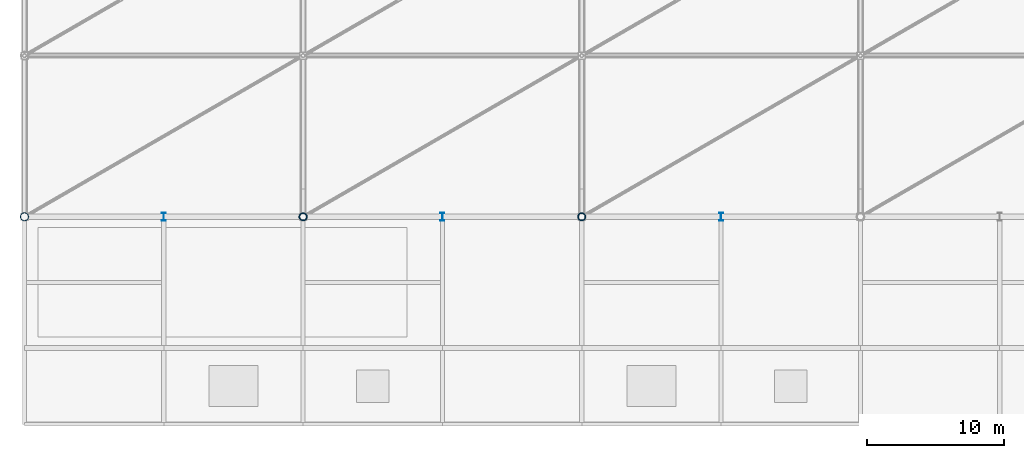
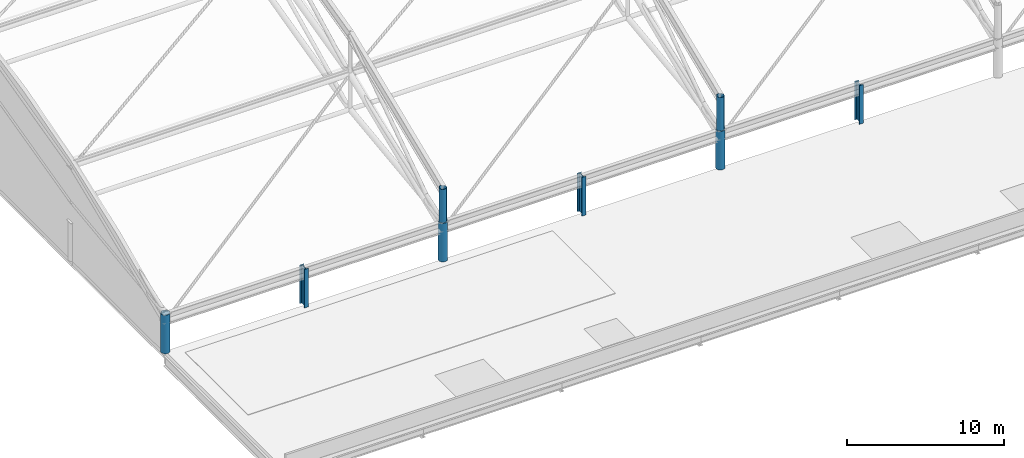
# One storey, part 1 of 135: 8 columns.
"""IFC4 building model written with IfcOpenShell, lengths in metres."""

from ifc_helpers import new_model, si_unit, direction, frame, origin, origin_2d, place, context, subcontext, project, spatial, hollow_circle, i_section, extrude, material, material_profile, profile_set, type_object, element, save


model = new_model("IFC4")

# Units and contexts
model_context = context("Model", 3, precision=1e-05, world=origin(), true_north=direction((0.0, 1.0)))
body_context = subcontext(model_context, "Body", "Model", "MODEL_VIEW")
ifc_project = project(units=[si_unit("LENGTHUNIT", "METRE"), si_unit("AREAUNIT", "SQUARE_METRE"), si_unit("VOLUMEUNIT", "CUBIC_METRE"), si_unit("PLANEANGLEUNIT", "RADIAN"), si_unit("MASSUNIT", "GRAM", prefix="KILO")], contexts=[model_context])

# Site, building, storey
site_placement = place(None, origin())
site = spatial("IfcSite", under=ifc_project, at=site_placement, CompositionType="ELEMENT")
building_placement = place(site_placement, origin())
building = spatial("IfcBuilding", under=site, at=building_placement, Name="Brelvane Convention Centre", CompositionType="ELEMENT")
storey_placement = place(building_placement, frame((0.0, 0.0, 15.0)))
storey = spatial("IfcBuildingStorey", under=building, at=storey_placement, Name="L03", CompositionType="ELEMENT", Elevation=15.0)

# Columns
ifc_material_1 = material(Name="Steel E450 (450 MPa)", Category="steel")
ifc_material_profile_1 = material_profile(ifc_material_1, hollow_circle(Radius=0.304931640625, WallThickness=0.02490234375, at=origin_2d()), Name="CHS 610.0x25.0")
ifc_profile_set_1 = profile_set([ifc_material_profile_1], Name="Steel E450 (450 MPa)")
column_type_1 = type_object("IfcColumnType", Name="Steel Column C-ST1 (CHS 610.0x25.0)", PredefinedType="COLUMN", material=ifc_profile_set_1)
for number, where, z_axis, x_axis, name in (
    (1, (0.0, 28.800048828125, 0.0), (0.0, 0.0, 1.0), (1.0, 0.0, 0.0), "Column 1-D (L03)"),
    (2, (20.39990234375, 28.800048828125, 0.0), (0.0, 0.0, 1.0), (1.0, 0.0, 0.0), "Column 3-D (L03)"),
    (3, (40.800048828125, 28.800048828125, 0.0), (0.0, 0.0, 1.0), (1.0, 0.0, 0.0), "Column 5-D (L03)"),
):
    element("IfcColumn", number, at=place(storey_placement, frame(where, z_axis=z_axis, x_axis=x_axis)), inside=storey, type_object=column_type_1, Name=name, PredefinedType="COLUMN", context=body_context, shape_type="SweptSolid", body=[
        extrude(hollow_circle(Radius=0.304931640625, WallThickness=0.02490234375, at=origin_2d()), origin(), (0.0, 0.0, 1.0), 3.0),
    ])
ifc_material_2 = material(Name="Steel E450 (450 MPa)", Category="steel")
ifc_material_profile_2 = material_profile(ifc_material_2, hollow_circle(Radius=0.25390625, WallThickness=0.02001953125, at=origin_2d()), Name="CHS 508.0x20.0")
ifc_profile_set_2 = profile_set([ifc_material_profile_2], Name="Steel E450 (450 MPa)")
column_type_2 = type_object("IfcColumnType", Name="Steel Column C-ST2 (CHS 508.0x20.0)", PredefinedType="COLUMN", material=ifc_profile_set_2)
for number, where, z_axis, x_axis, name in (
    (4, (20.39990234375, 28.800048828125, 3.0), (0.0, 0.0, 1.0), (1.0, 0.0, 0.0), "EXO_EXH Exoskeletal Eaves Mast 2-S"),
    (5, (40.800048828125, 28.800048828125, 3.0), (0.0, 0.0, 1.0), (1.0, 0.0, 0.0), "EXO_EXH Exoskeletal Eaves Mast 3-S"),
):
    element("IfcColumn", number, at=place(storey_placement, frame(where, z_axis=z_axis, x_axis=x_axis)), inside=storey, type_object=column_type_2, Name=name, PredefinedType="COLUMN", context=body_context, shape_type="SweptSolid", body=[
        extrude(hollow_circle(Radius=0.25390625, WallThickness=0.02001953125, at=origin_2d()), origin(), (0.0, 0.0, 1.0), 2.60009765625),
    ])
ifc_material_3 = material(Name="Steel E450 (450 MPa)", Category="steel")
ifc_material_profile_3 = material_profile(ifc_material_3, i_section(OverallWidth=0.300048828125, OverallDepth=0.60009765625, WebThickness=0.015380859375, FlangeThickness=0.030029296875, FilletRadius=0.027099609375, at=origin_2d()), Name="WPB 600x300")
ifc_profile_set_3 = profile_set([ifc_material_profile_3], Name="Steel E450 (450 MPa)")
column_type_3 = type_object("IfcColumnType", Name="Steel Column C-ST5 (WPB 600x300)", PredefinedType="COLUMN", material=ifc_profile_set_3)
for number, where, z_axis, x_axis, name in (
    (6, (10.199951171875, 28.800048828125, 0.0), (0.0, 0.0, 1.0), (1.0, 0.0, 0.0), "Column 2-D (L03)"),
    (7, (30.60009765625, 28.800048828125, 0.0), (0.0, 0.0, 1.0), (1.0, 0.0, 0.0), "Column 4-D (L03)"),
    (8, (51.0, 28.800048828125, 0.0), (0.0, 0.0, 1.0), (1.0, 0.0, 0.0), "Column 6-D (L03)"),
):
    element("IfcColumn", number, at=place(storey_placement, frame(where, z_axis=z_axis, x_axis=x_axis)), inside=storey, type_object=column_type_3, Name=name, PredefinedType="COLUMN", context=body_context, shape_type="SweptSolid", body=[
        extrude(i_section(OverallWidth=0.300048828125, OverallDepth=0.60009765625, WebThickness=0.015380859375, FlangeThickness=0.030029296875, FilletRadius=0.027099609375, at=origin_2d()), origin(), (0.0, 0.0, 1.0), 3.0),
    ])

save(model, "model.ifc")
